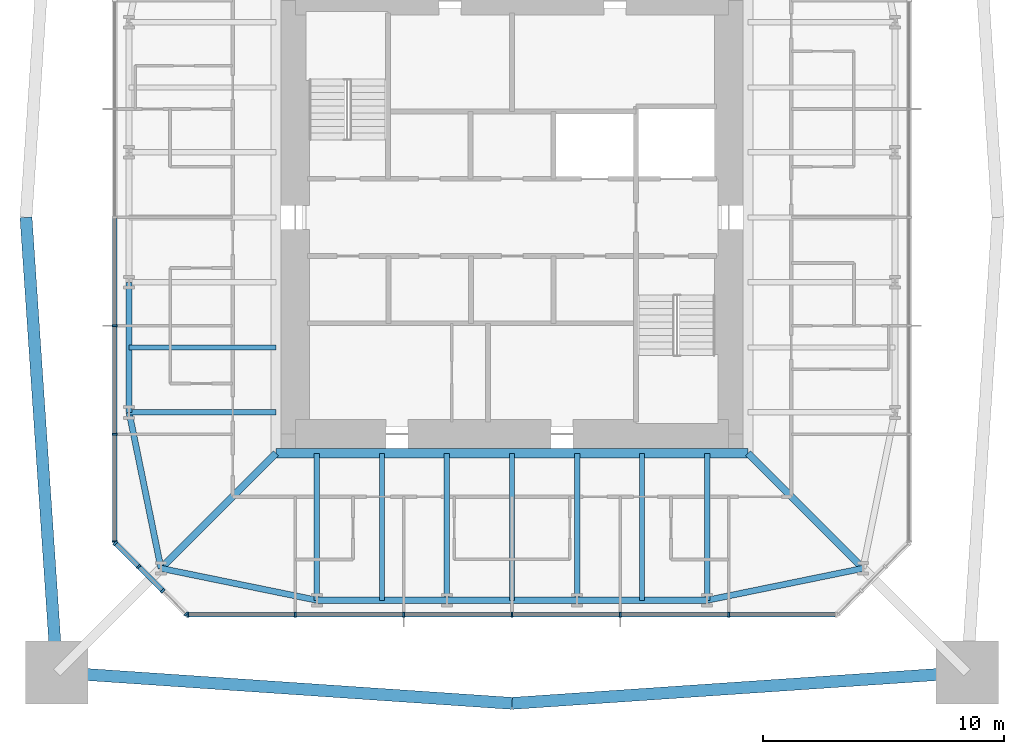
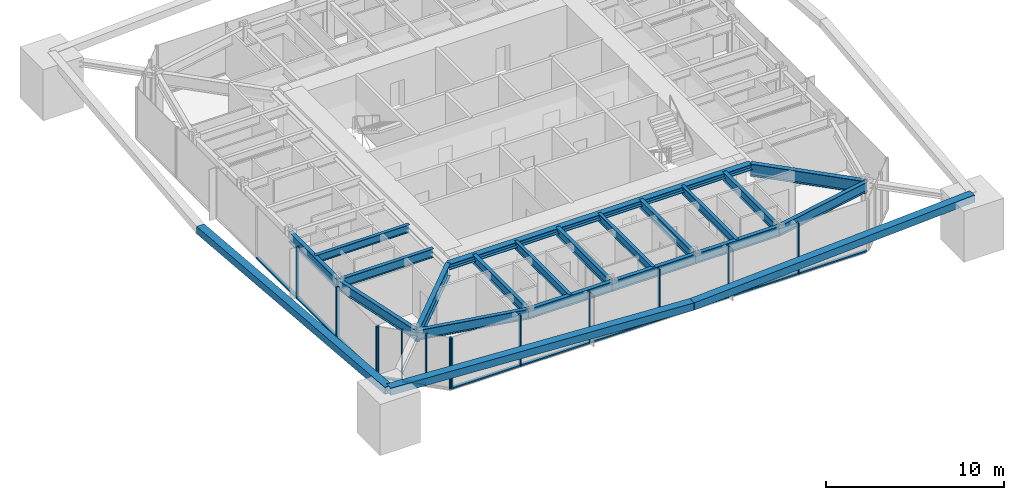
# One storey, part 2 of 11: 27 members, 19 beams, 3 elements without a shape of their own.
"""IFC4 building model written with IfcOpenShell, lengths in metres."""

from ifc_helpers import new_model, si_unit, direction, frame, origin, origin_2d, place, context, subcontext, project, spatial, rectangle, hollow_rectangle, i_section, extrude, material, material_profile, profile_set, type_object, element, aggregate, save


model = new_model("IFC4")

# Units and contexts
model_context = context("Model", 3, precision=1e-05, world=origin(), true_north=direction((0.0, 1.0)))
body_context = subcontext(model_context, "Body", "Model", "MODEL_VIEW")
ifc_project = project(units=[si_unit("LENGTHUNIT", "METRE"), si_unit("AREAUNIT", "SQUARE_METRE"), si_unit("VOLUMEUNIT", "CUBIC_METRE"), si_unit("PLANEANGLEUNIT", "RADIAN"), si_unit("MASSUNIT", "GRAM", prefix="KILO")], contexts=[model_context])

# Site, building, storey
site_placement = place(None, origin())
site = spatial("IfcSite", under=ifc_project, at=site_placement, CompositionType="ELEMENT")
building_placement = place(site_placement, origin())
building = spatial("IfcBuilding", under=site, at=building_placement, Name="Iwan Alto Co-Living Towers", CompositionType="ELEMENT")
storey_placement = place(building_placement, frame((0.0, 0.0, 222.0)))
storey = spatial("IfcBuildingStorey", under=building, at=storey_placement, Name="L60", CompositionType="ELEMENT", Elevation=222.0)

# Curtain wall, members
ifc_material_1 = material(Name="Bronze aluminium unitised frame", Category="aluminium")
curtain_wall_type_1 = type_object("IfcCurtainWallType", Name="CURTAIN WALL CW-A", PredefinedType="NOTDEFINED", material=ifc_material_1)
curtain_wall_1_placement = place(storey_placement, origin())
curtain_wall_1 = element("IfcCurtainWall", 1, at=curtain_wall_1_placement, inside=storey, type_object=curtain_wall_type_1, Name="T1 curtain wall S L60", PredefinedType="NOTDEFINED")
ifc_material_2 = material(Name="Aluminium 6063-T6 bronze anodised", Category="aluminium")
ifc_material_profile_1 = material_profile(ifc_material_2, rectangle(XDim=0.199951171875, YDim=0.080078125, at=origin_2d()), Name="AL 80X200")
ifc_profile_set_1 = profile_set([ifc_material_profile_1], Name="Aluminium 6063-T6 bronze anodised")
member_type_1 = type_object("IfcMemberType", Name="CW-A MULLION 80X200", PredefinedType="MULLION", material=ifc_profile_set_1)
member_1_placement = place(storey_placement, frame((-13.4599609375, -16.5, 0.0), z_axis=(0.0, 0.0, 1.0), x_axis=(0.0, 1.0, 0.0)))
member_1 = element("IfcMember", 2, at=member_1_placement, type_object=member_type_1, Name="CW-A mullion 1", PredefinedType="MULLION", context=body_context, shape_type="SweptSolid", body=[
    extrude(rectangle(XDim=0.199951171875, YDim=0.080078125, at=origin_2d()), origin(), (0.0, 0.0, 1.0), 3.5),
])
member_2_placement = place(storey_placement, frame((-9.0, -16.5, 0.0), z_axis=(0.0, 0.0, 1.0), x_axis=(0.0, 1.0, 0.0)))
member_2 = element("IfcMember", 3, at=member_2_placement, type_object=member_type_1, Name="CW-A mullion 2", PredefinedType="MULLION", context=body_context, shape_type="SweptSolid", body=[
    extrude(rectangle(XDim=0.199951171875, YDim=0.080078125, at=origin_2d()), origin(), (0.0, 0.0, 1.0), 3.5),
])
member_3_placement = place(storey_placement, frame((-4.5, -16.5, 0.0), z_axis=(0.0, 0.0, 1.0), x_axis=(0.0, 1.0, 0.0)))
member_3 = element("IfcMember", 4, at=member_3_placement, type_object=member_type_1, Name="CW-A mullion 3", PredefinedType="MULLION", context=body_context, shape_type="SweptSolid", body=[
    extrude(rectangle(XDim=0.199951171875, YDim=0.080078125, at=origin_2d()), origin(), (0.0, 0.0, 1.0), 3.5),
])
member_4_placement = place(storey_placement, frame((0.0, -16.5, 0.0), z_axis=(0.0, 0.0, 1.0), x_axis=(0.0, 1.0, 0.0)))
member_4 = element("IfcMember", 5, at=member_4_placement, type_object=member_type_1, Name="CW-A mullion 4", PredefinedType="MULLION", context=body_context, shape_type="SweptSolid", body=[
    extrude(rectangle(XDim=0.199951171875, YDim=0.080078125, at=origin_2d()), origin(), (0.0, 0.0, 1.0), 3.5),
])
member_5_placement = place(storey_placement, frame((4.5, -16.5, 0.0), z_axis=(0.0, 0.0, 1.0), x_axis=(0.0, 1.0, 0.0)))
member_5 = element("IfcMember", 6, at=member_5_placement, type_object=member_type_1, Name="CW-A mullion 5", PredefinedType="MULLION", context=body_context, shape_type="SweptSolid", body=[
    extrude(rectangle(XDim=0.199951171875, YDim=0.080078125, at=origin_2d()), origin(), (0.0, 0.0, 1.0), 3.5),
])
member_6_placement = place(storey_placement, frame((9.0, -16.5, 0.0), z_axis=(0.0, 0.0, 1.0), x_axis=(0.0, 1.0, 0.0)))
member_6 = element("IfcMember", 7, at=member_6_placement, type_object=member_type_1, Name="CW-A mullion 6", PredefinedType="MULLION", context=body_context, shape_type="SweptSolid", body=[
    extrude(rectangle(XDim=0.199951171875, YDim=0.080078125, at=origin_2d()), origin(), (0.0, 0.0, 1.0), 3.5),
])

curtain_wall_2_placement = place(storey_placement, origin())
curtain_wall_2 = element("IfcCurtainWall", 8, at=curtain_wall_2_placement, inside=storey, type_object=curtain_wall_type_1, Name="T1 curtain wall W L60", PredefinedType="NOTDEFINED")
member_7_placement = place(storey_placement, frame((-16.5, -4.5, 0.0), z_axis=(0.0, 0.0, 1.0), x_axis=(1.0, 0.0, 0.0)))
member_7 = element("IfcMember", 9, at=member_7_placement, type_object=member_type_1, Name="CW-A mullion 5", PredefinedType="MULLION", context=body_context, shape_type="SweptSolid", body=[
    extrude(rectangle(XDim=0.199951171875, YDim=0.080078125, at=origin_2d()), origin(), (0.0, 0.0, 1.0), 3.5),
])
member_8_placement = place(storey_placement, frame((-16.5, -9.0, 0.0), z_axis=(0.0, 0.0, 1.0), x_axis=(1.0, 0.0, 0.0)))
member_8 = element("IfcMember", 10, at=member_8_placement, type_object=member_type_1, Name="CW-A mullion 6", PredefinedType="MULLION", context=body_context, shape_type="SweptSolid", body=[
    extrude(rectangle(XDim=0.199951171875, YDim=0.080078125, at=origin_2d()), origin(), (0.0, 0.0, 1.0), 3.5),
])
member_9_placement = place(storey_placement, frame((-16.5, -13.4599609375, 0.0), z_axis=(0.0, 0.0, 1.0), x_axis=(1.0, 0.0, 0.0)))
member_9 = element("IfcMember", 11, at=member_9_placement, type_object=member_type_1, Name="CW-A mullion 7", PredefinedType="MULLION", context=body_context, shape_type="SweptSolid", body=[
    extrude(rectangle(XDim=0.199951171875, YDim=0.080078125, at=origin_2d()), origin(), (0.0, 0.0, 1.0), 3.5),
])

# Member
ifc_material_3 = material(Name="Aluminium 6063-T6 bronze anodised", Category="aluminium")
ifc_material_profile_2 = material_profile(ifc_material_3, rectangle(XDim=0.199951171875, YDim=0.10009765625, at=origin_2d()), Name="AL 200X100")
ifc_profile_set_2 = profile_set([ifc_material_profile_2], Name="Aluminium 6063-T6 bronze anodised")
member_type_2 = type_object("IfcMemberType", Name="CW-A TRANSOM 200X100", PredefinedType="USERDEFINED", material=ifc_profile_set_2)
member_10_placement = place(storey_placement, frame((-13.419921875, -16.5, 0.050048828125), z_axis=(1.0, 0.0, 0.0), x_axis=(0.0, 1.0, 0.0)))
member_10 = element("IfcMember", 12, at=member_10_placement, type_object=member_type_2, Name="CW-A transom 1.1", ObjectType="TRANSOM", PredefinedType="USERDEFINED", context=body_context, shape_type="SweptSolid", body=[
    extrude(rectangle(XDim=0.199951171875, YDim=0.10009765625, at=origin_2d()), origin(), (0.0, 0.0, 1.0), 4.3798828125),
])

member_11_placement = place(storey_placement, frame((-8.9599609375, -16.5, 0.050048828125), z_axis=(1.0, 0.0, 0.0), x_axis=(0.0, 1.0, 0.0)))
member_11 = element("IfcMember", 13, at=member_11_placement, type_object=member_type_2, Name="CW-A transom 2.1", ObjectType="TRANSOM", PredefinedType="USERDEFINED", context=body_context, shape_type="SweptSolid", body=[
    extrude(rectangle(XDim=0.199951171875, YDim=0.10009765625, at=origin_2d()), origin(), (0.0, 0.0, 1.0), 4.419921875),
])

member_12_placement = place(storey_placement, frame((-4.4599609375, -16.5, 0.050048828125), z_axis=(1.0, 0.0, 0.0), x_axis=(0.0, 1.0, 0.0)))
member_12 = element("IfcMember", 14, at=member_12_placement, type_object=member_type_2, Name="CW-A transom 3.1", ObjectType="TRANSOM", PredefinedType="USERDEFINED", context=body_context, shape_type="SweptSolid", body=[
    extrude(rectangle(XDim=0.199951171875, YDim=0.10009765625, at=origin_2d()), origin(), (0.0, 0.0, 1.0), 4.419921875),
])

member_13_placement = place(storey_placement, frame((0.0400390625, -16.5, 0.050048828125), z_axis=(1.0, 0.0, 0.0), x_axis=(0.0, 1.0, 0.0)))
member_13 = element("IfcMember", 15, at=member_13_placement, type_object=member_type_2, Name="CW-A transom 4.1", ObjectType="TRANSOM", PredefinedType="USERDEFINED", context=body_context, shape_type="SweptSolid", body=[
    extrude(rectangle(XDim=0.199951171875, YDim=0.10009765625, at=origin_2d()), origin(), (0.0, 0.0, 1.0), 4.419921875),
])

member_14_placement = place(storey_placement, frame((4.5400390625, -16.5, 0.050048828125), z_axis=(1.0, 0.0, 0.0), x_axis=(0.0, 1.0, 0.0)))
member_14 = element("IfcMember", 16, at=member_14_placement, type_object=member_type_2, Name="CW-A transom 5.1", ObjectType="TRANSOM", PredefinedType="USERDEFINED", context=body_context, shape_type="SweptSolid", body=[
    extrude(rectangle(XDim=0.199951171875, YDim=0.10009765625, at=origin_2d()), origin(), (0.0, 0.0, 1.0), 4.419921875),
])

member_15_placement = place(storey_placement, frame((9.0400390625, -16.5, 0.050048828125), z_axis=(1.0, 0.0, 0.0), x_axis=(0.0, 1.0, 0.0)))
member_15 = element("IfcMember", 17, at=member_15_placement, type_object=member_type_2, Name="CW-A transom 6.1", ObjectType="TRANSOM", PredefinedType="USERDEFINED", context=body_context, shape_type="SweptSolid", body=[
    extrude(rectangle(XDim=0.199951171875, YDim=0.10009765625, at=origin_2d()), origin(), (0.0, 0.0, 1.0), 4.3798828125),
])

aggregate(curtain_wall_1, [member_1, member_2, member_3, member_4, member_5, member_6, member_10, member_11, member_12, member_13, member_14, member_15])

member_16_placement = place(storey_placement, frame((-16.5, -0.0400390625, 0.050048828125), z_axis=(0.0, -1.0, 0.0), x_axis=(1.0, 0.0, 0.0)))
member_16 = element("IfcMember", 18, at=member_16_placement, type_object=member_type_2, Name="CW-A transom 4.1", ObjectType="TRANSOM", PredefinedType="USERDEFINED", context=body_context, shape_type="SweptSolid", body=[
    extrude(rectangle(XDim=0.199951171875, YDim=0.10009765625, at=origin_2d()), origin(), (0.0, 0.0, 1.0), 4.419921875),
])

member_17_placement = place(storey_placement, frame((-16.5, -4.5400390625, 0.050048828125), z_axis=(0.0, -1.0, 0.0), x_axis=(1.0, 0.0, 0.0)))
member_17 = element("IfcMember", 19, at=member_17_placement, type_object=member_type_2, Name="CW-A transom 5.1", ObjectType="TRANSOM", PredefinedType="USERDEFINED", context=body_context, shape_type="SweptSolid", body=[
    extrude(rectangle(XDim=0.199951171875, YDim=0.10009765625, at=origin_2d()), origin(), (0.0, 0.0, 1.0), 4.419921875),
])

member_18_placement = place(storey_placement, frame((-16.5, -9.0400390625, 0.050048828125), z_axis=(0.0, -1.0, 0.0), x_axis=(1.0, 0.0, 0.0)))
member_18 = element("IfcMember", 20, at=member_18_placement, type_object=member_type_2, Name="CW-A transom 6.1", ObjectType="TRANSOM", PredefinedType="USERDEFINED", context=body_context, shape_type="SweptSolid", body=[
    extrude(rectangle(XDim=0.199951171875, YDim=0.10009765625, at=origin_2d()), origin(), (0.0, 0.0, 1.0), 4.3798828125),
])

aggregate(curtain_wall_2, [member_7, member_8, member_9, member_16, member_17, member_18])

# Curtain wall, members
ifc_material_4 = material(Name="Bronze aluminium unitised frame", Category="aluminium")
curtain_wall_type_2 = type_object("IfcCurtainWallType", Name="CURTAIN WALL CW-B", PredefinedType="NOTDEFINED", material=ifc_material_4)
curtain_wall_3_placement = place(storey_placement, origin())
curtain_wall_3 = element("IfcCurtainWall", 21, at=curtain_wall_3_placement, inside=storey, type_object=curtain_wall_type_2, Name="T1 chamfer curtain wall SW L60", PredefinedType="NOTDEFINED")
ifc_material_5 = material(Name="Aluminium 6063-T6 bronze anodised", Category="aluminium")
ifc_material_profile_3 = material_profile(ifc_material_5, rectangle(XDim=0.199951171875, YDim=0.080078125, at=origin_2d()), Name="AL 80X200")
ifc_profile_set_3 = profile_set([ifc_material_profile_3], Name="Aluminium 6063-T6 bronze anodised")
member_type_3 = type_object("IfcMemberType", Name="CW-B MULLION 80X200", PredefinedType="MULLION", material=ifc_profile_set_3)
member_19_placement = place(storey_placement, frame((-16.4716796875, -13.5283203125, 0.0), z_axis=(0.0, 0.0, 1.0), x_axis=(0.707106781187, 0.707106781187, 0.0)))
member_19 = element("IfcMember", 22, at=member_19_placement, type_object=member_type_3, Name="CW-B mullion 1", PredefinedType="MULLION", context=body_context, shape_type="SweptSolid", body=[
    extrude(rectangle(XDim=0.199951171875, YDim=0.080078125, at=origin_2d()), origin(), (0.0, 0.0, 1.0), 3.5),
])
member_20_placement = place(storey_placement, frame((-15.5, -14.5, 0.0), z_axis=(0.0, 0.0, 1.0), x_axis=(0.707106781187, 0.707106781187, 0.0)))
member_20 = element("IfcMember", 23, at=member_20_placement, type_object=member_type_3, Name="CW-B mullion 2", PredefinedType="MULLION", context=body_context, shape_type="SweptSolid", body=[
    extrude(rectangle(XDim=0.199951171875, YDim=0.080078125, at=origin_2d()), origin(), (0.0, 0.0, 1.0), 3.5),
])
member_21_placement = place(storey_placement, frame((-14.5, -15.5, 0.0), z_axis=(0.0, 0.0, 1.0), x_axis=(0.707106781187, 0.707106781187, 0.0)))
member_21 = element("IfcMember", 24, at=member_21_placement, type_object=member_type_3, Name="CW-B mullion 3", PredefinedType="MULLION", context=body_context, shape_type="SweptSolid", body=[
    extrude(rectangle(XDim=0.199951171875, YDim=0.080078125, at=origin_2d()), origin(), (0.0, 0.0, 1.0), 3.5),
])
member_22_placement = place(storey_placement, frame((-13.5283203125, -16.4716796875, 0.0), z_axis=(0.0, 0.0, 1.0), x_axis=(0.707106781187, 0.707106781187, 0.0)))
member_22 = element("IfcMember", 25, at=member_22_placement, type_object=member_type_3, Name="CW-B mullion 4", PredefinedType="MULLION", context=body_context, shape_type="SweptSolid", body=[
    extrude(rectangle(XDim=0.199951171875, YDim=0.080078125, at=origin_2d()), origin(), (0.0, 0.0, 1.0), 3.5),
])
ifc_material_6 = material(Name="Aluminium 6063-T6 bronze anodised", Category="aluminium")
ifc_material_profile_4 = material_profile(ifc_material_6, rectangle(XDim=0.199951171875, YDim=0.10009765625, at=origin_2d()), Name="AL 200X100")
ifc_profile_set_4 = profile_set([ifc_material_profile_4], Name="Aluminium 6063-T6 bronze anodised")
member_type_4 = type_object("IfcMemberType", Name="CW-B TRANSOM 200X100", PredefinedType="USERDEFINED", material=ifc_profile_set_4)
member_23_placement = place(storey_placement, frame((-16.443359375, -13.556640625, 0.050048828125), z_axis=(0.707106781187, -0.707106781187, 0.0), x_axis=(0.707106781187, 0.707106781187, 0.0)))
member_23 = element("IfcMember", 26, at=member_23_placement, type_object=member_type_4, Name="CW-B transom 1.1", ObjectType="TRANSOM", PredefinedType="USERDEFINED", context=body_context, shape_type="SweptSolid", body=[
    extrude(rectangle(XDim=0.199951171875, YDim=0.10009765625, at=origin_2d()), origin(), (0.0, 0.0, 1.0), 1.2939453125),
])
member_24_placement = place(storey_placement, frame((-15.4716796875, -14.5283203125, 0.050048828125), z_axis=(0.707106781187, -0.707106781187, 0.0), x_axis=(0.707106781187, 0.707106781187, 0.0)))
member_24 = element("IfcMember", 27, at=member_24_placement, type_object=member_type_4, Name="CW-B transom 2.1", ObjectType="TRANSOM", PredefinedType="USERDEFINED", context=body_context, shape_type="SweptSolid", body=[
    extrude(rectangle(XDim=0.199951171875, YDim=0.10009765625, at=origin_2d()), origin(), (0.0, 0.0, 1.0), 1.334228515625),
])
aggregate(curtain_wall_3, [member_19, member_20, member_21, member_22, member_23, member_24])

# Beams
ifc_material_7 = material(Name="Steel ASTM A992 Gr 50", Category="steel")
ifc_material_profile_5 = material_profile(ifc_material_7, i_section(OverallWidth=0.398681640625, OverallDepth=0.385986328125, WebThickness=0.02099609375, FlangeThickness=0.033203125, at=origin_2d()), Name="W14X176")
ifc_profile_set_5 = profile_set([ifc_material_profile_5], Name="Steel ASTM A992 Gr 50")
beam_type_1 = type_object("IfcBeamType", Name="T1 CORE LEDGER BEAM W14X176", PredefinedType="BEAM", material=ifc_profile_set_5)
beam_1_placement = place(storey_placement, frame((-9.79931640625, -9.79931640625, 3.076904296875), z_axis=(1.0, 0.0, 0.0), x_axis=(0.0, 1.0, 0.0)))
element("IfcBeam", 28, at=beam_1_placement, inside=storey, type_object=beam_type_1, Name="T1 core ledger beam S L61", PredefinedType="BEAM", context=body_context, shape_type="SweptSolid", body=[
    extrude(i_section(OverallWidth=0.398681640625, OverallDepth=0.385986328125, WebThickness=0.02099609375, FlangeThickness=0.033203125, at=origin_2d()), origin(), (0.0, 0.0, 1.0), 19.5986328125),
])
ifc_material_8 = material(Name="Steel ASTM A992 Gr 50", Category="steel")
ifc_material_profile_6 = material_profile(ifc_material_8, i_section(OverallWidth=0.2919921875, OverallDepth=0.8408203125, WebThickness=0.0146484375, FlangeThickness=0.021728515625, at=origin_2d()), Name="W33X130")
ifc_profile_set_6 = profile_set([ifc_material_profile_6], Name="Steel ASTM A992 Gr 50")
beam_type_2 = type_object("IfcBeamType", Name="T1 CORNER GIRDER W33X130", PredefinedType="BEAM", material=ifc_profile_set_6)
for number, where, z_axis, x_axis, name in (
    (29, (-14.57568359375, -14.57568359375, 2.849609375), (0.707106781187, 0.707106781187, 0.0), (-0.707106781187, 0.707106781187, 0.0), "T1 corner girder CSW L61"),
    (30, (14.57568359375, -14.57568359375, 2.849609375), (-0.707106781187, 0.707106781187, 0.0), (-0.707106781187, -0.707106781187, 0.0), "T1 corner girder CSE L61"),
):
    element("IfcBeam", number, at=place(storey_placement, frame(where, z_axis=z_axis, x_axis=x_axis)), inside=storey, type_object=beam_type_2, Name=name, PredefinedType="BEAM", context=body_context, shape_type="SweptSolid", body=[
        extrude(i_section(OverallWidth=0.2919921875, OverallDepth=0.8408203125, WebThickness=0.0146484375, FlangeThickness=0.021728515625, at=origin_2d()), origin(), (0.0, 0.0, 1.0), 6.7548828125),
    ])
ifc_material_9 = material(Name="Steel ASTM A992 Gr 50", Category="steel")
ifc_material_profile_7 = material_profile(ifc_material_9, i_section(OverallWidth=0.25390625, OverallDepth=0.683349609375, WebThickness=0.012451171875, FlangeThickness=0.018798828125, at=origin_2d()), Name="W27X94")
ifc_profile_set_7 = profile_set([ifc_material_profile_7], Name="Steel ASTM A992 Gr 50")
beam_type_3 = type_object("IfcBeamType", Name="T1 EDGE BEAM W27X94", PredefinedType="BEAM", material=ifc_profile_set_7)
beam_2_placement = place(storey_placement, frame((-14.57568359375, -14.57568359375, 2.928466796875), z_axis=(0.979724820103, -0.200347889618, 0.0), x_axis=(0.200347889618, 0.979724820103, 0.0)))
element("IfcBeam", 31, at=beam_2_placement, inside=storey, type_object=beam_type_3, Name="T1 edge beam CSW L61", PredefinedType="BEAM", context=body_context, shape_type="SweptSolid", body=[
    extrude(i_section(OverallWidth=0.25390625, OverallDepth=0.683349609375, WebThickness=0.012451171875, FlangeThickness=0.018798828125, at=origin_2d()), origin(), (0.0, 0.0, 1.0), 6.609619140625),
])
beam_3_placement = place(storey_placement, frame((-8.10009765625, -15.89990234375, 2.928466796875), z_axis=(1.0, 0.0, 0.0), x_axis=(0.0, 1.0, 0.0)))
element("IfcBeam", 32, at=beam_3_placement, inside=storey, type_object=beam_type_3, Name="T1 edge beam S1 L61", PredefinedType="BEAM", context=body_context, shape_type="SweptSolid", body=[
    extrude(i_section(OverallWidth=0.25390625, OverallDepth=0.683349609375, WebThickness=0.012451171875, FlangeThickness=0.018798828125, at=origin_2d()), origin(), (0.0, 0.0, 1.0), 5.400146484375),
])
beam_4_placement = place(storey_placement, frame((-2.699951171875, -15.89990234375, 2.928466796875), z_axis=(1.0, 0.0, 0.0), x_axis=(0.0, 1.0, 0.0)))
element("IfcBeam", 33, at=beam_4_placement, inside=storey, type_object=beam_type_3, Name="T1 edge beam S2 L61", PredefinedType="BEAM", context=body_context, shape_type="SweptSolid", body=[
    extrude(i_section(OverallWidth=0.25390625, OverallDepth=0.683349609375, WebThickness=0.012451171875, FlangeThickness=0.018798828125, at=origin_2d()), origin(), (0.0, 0.0, 1.0), 5.39990234375),
])
beam_5_placement = place(storey_placement, frame((2.699951171875, -15.89990234375, 2.928466796875), z_axis=(1.0, 0.0, 0.0), x_axis=(0.0, 1.0, 0.0)))
element("IfcBeam", 34, at=beam_5_placement, inside=storey, type_object=beam_type_3, Name="T1 edge beam S3 L61", PredefinedType="BEAM", context=body_context, shape_type="SweptSolid", body=[
    extrude(i_section(OverallWidth=0.25390625, OverallDepth=0.683349609375, WebThickness=0.012451171875, FlangeThickness=0.018798828125, at=origin_2d()), origin(), (0.0, 0.0, 1.0), 5.400146484375),
])
beam_6_placement = place(storey_placement, frame((8.10009765625, -15.89990234375, 2.928466796875), z_axis=(0.979724820103, 0.200347889618, 0.0), x_axis=(-0.200347889618, 0.979724820103, 0.0)))
element("IfcBeam", 35, at=beam_6_placement, inside=storey, type_object=beam_type_3, Name="T1 edge beam S4 L61", PredefinedType="BEAM", context=body_context, shape_type="SweptSolid", body=[
    extrude(i_section(OverallWidth=0.25390625, OverallDepth=0.683349609375, WebThickness=0.012451171875, FlangeThickness=0.018798828125, at=origin_2d()), origin(), (0.0, 0.0, 1.0), 6.609619140625),
])
beam_7_placement = place(storey_placement, frame((-15.89990234375, -2.699951171875, 2.928466796875), z_axis=(0.0, -1.0, 0.0), x_axis=(1.0, 0.0, 0.0)))
element("IfcBeam", 36, at=beam_7_placement, inside=storey, type_object=beam_type_3, Name="T1 edge beam W3 L61", PredefinedType="BEAM", context=body_context, shape_type="SweptSolid", body=[
    extrude(i_section(OverallWidth=0.25390625, OverallDepth=0.683349609375, WebThickness=0.012451171875, FlangeThickness=0.018798828125, at=origin_2d()), origin(), (0.0, 0.0, 1.0), 5.400146484375),
])
beam_8_placement = place(storey_placement, frame((-15.89990234375, -8.10009765625, 2.928466796875), z_axis=(0.200347889618, -0.979724820103, 0.0), x_axis=(0.979724820103, 0.200347889618, 0.0)))
element("IfcBeam", 37, at=beam_8_placement, inside=storey, type_object=beam_type_3, Name="T1 edge beam W4 L61", PredefinedType="BEAM", context=body_context, shape_type="SweptSolid", body=[
    extrude(i_section(OverallWidth=0.25390625, OverallDepth=0.683349609375, WebThickness=0.012451171875, FlangeThickness=0.018798828125, at=origin_2d()), origin(), (0.0, 0.0, 1.0), 6.609619140625),
])

# Members
ifc_material_10 = material(Name="Steel ASTM A572 Gr 50", Category="steel")
ifc_material_profile_8 = material_profile(ifc_material_10, hollow_rectangle(XDim=0.5, YDim=0.5, WallThickness=0.031982421875, at=origin_2d()), Name="BOX 500X500X32")
ifc_profile_set_8 = profile_set([ifc_material_profile_8], Name="Steel ASTM A572 Gr 50")
member_type_5 = type_object("IfcMemberType", Name="T1 MEGA TIE BOX 500X500X32", PredefinedType="STRUT", material=ifc_profile_set_8)
for number, where, z_axis, x_axis, name in (
    (38, (-18.89990234375, -18.89990234375, 3.2841796875), (0.997708316186, -0.067661775131, 0.0), (0.067661775131, 0.997708316186, 0.0), "T1 mega tie Z4A S 1"),
    (39, (0.0, -20.181640625, 3.2841796875), (0.997708316186, 0.067661775131, 0.0), (-0.067661775131, 0.997708316186, 0.0), "T1 mega tie Z4A S 2"),
    (40, (-20.181640625, 0.0, 3.2841796875), (0.067661775131, -0.997708316186, 0.0), (0.997708316186, 0.067661775131, 0.0), "T1 mega tie Z4A W 2"),
):
    element("IfcMember", number, at=place(storey_placement, frame(where, z_axis=z_axis, x_axis=x_axis)), inside=storey, type_object=member_type_5, Name=name, PredefinedType="STRUT", context=body_context, shape_type="SweptSolid", body=[
        extrude(hollow_rectangle(XDim=0.5, YDim=0.5, WallThickness=0.031982421875, at=origin_2d()), origin(), (0.0, 0.0, 1.0), 18.943359375),
    ])

# Beams
ifc_material_11 = material(Name="Steel ASTM A992 Gr 50", Category="steel")
ifc_material_profile_9 = material_profile(ifc_material_11, i_section(OverallWidth=0.228271484375, OverallDepth=0.607177734375, WebThickness=0.01123046875, FlangeThickness=0.017333984375, at=origin_2d()), Name="W24X76")
ifc_profile_set_9 = profile_set([ifc_material_profile_9], Name="Steel ASTM A992 Gr 50")
beam_type_4 = type_object("IfcBeamType", Name="T1 RADIAL BEAM W24X76", PredefinedType="BEAM", material=ifc_profile_set_9)
for number, where, z_axis, x_axis, name in (
    (41, (-8.10009765625, -15.89990234375, 2.966552734375), (0.0, 1.0, 0.0), (-1.0, 0.0, 0.0), "T1 radial beam S1 L61"),
    (42, (-2.699951171875, -15.89990234375, 2.966552734375), (0.0, 1.0, 0.0), (-1.0, 0.0, 0.0), "T1 radial beam S2 L61"),
    (43, (2.699951171875, -15.89990234375, 2.966552734375), (0.0, 1.0, 0.0), (-1.0, 0.0, 0.0), "T1 radial beam S3 L61"),
    (44, (8.10009765625, -15.89990234375, 2.966552734375), (0.0, 1.0, 0.0), (-1.0, 0.0, 0.0), "T1 radial beam S4 L61"),
    (45, (-15.89990234375, -8.10009765625, 2.966552734375), (1.0, 0.0, 0.0), (0.0, 1.0, 0.0), "T1 radial beam W4 L61"),
):
    element("IfcBeam", number, at=place(storey_placement, frame(where, z_axis=z_axis, x_axis=x_axis)), inside=storey, type_object=beam_type_4, Name=name, PredefinedType="BEAM", context=body_context, shape_type="SweptSolid", body=[
        extrude(i_section(OverallWidth=0.228271484375, OverallDepth=0.607177734375, WebThickness=0.01123046875, FlangeThickness=0.017333984375, at=origin_2d()), origin(), (0.0, 0.0, 1.0), 6.1005859375),
    ])
ifc_material_12 = material(Name="Steel ASTM A992 Gr 50", Category="steel")
ifc_material_profile_10 = material_profile(ifc_material_12, i_section(OverallWidth=0.209228515625, OverallDepth=0.533447265625, WebThickness=0.01025390625, FlangeThickness=0.015625, at=origin_2d()), Name="W21X62")
ifc_profile_set_10 = profile_set([ifc_material_profile_10], Name="Steel ASTM A992 Gr 50")
beam_type_5 = type_object("IfcBeamType", Name="T1 SECONDARY BEAM W21X62", PredefinedType="JOIST", material=ifc_profile_set_10)
for number, where, z_axis, x_axis, name in (
    (46, (-5.39990234375, -15.89990234375, 3.00341796875), (0.0, 1.0, 0.0), (-1.0, 0.0, 0.0), "T1 secondary beam S1 L61"),
    (47, (0.0, -15.89990234375, 3.00341796875), (0.0, 1.0, 0.0), (-1.0, 0.0, 0.0), "T1 secondary beam S2 L61"),
    (48, (5.39990234375, -15.89990234375, 3.00341796875), (0.0, 1.0, 0.0), (-1.0, 0.0, 0.0), "T1 secondary beam S3 L61"),
    (49, (-15.89990234375, -5.39990234375, 3.00341796875), (1.0, 0.0, 0.0), (0.0, 1.0, 0.0), "T1 secondary beam W3 L61"),
):
    element("IfcBeam", number, at=place(storey_placement, frame(where, z_axis=z_axis, x_axis=x_axis)), inside=storey, type_object=beam_type_5, Name=name, PredefinedType="JOIST", context=body_context, shape_type="SweptSolid", body=[
        extrude(i_section(OverallWidth=0.209228515625, OverallDepth=0.533447265625, WebThickness=0.01025390625, FlangeThickness=0.015625, at=origin_2d()), origin(), (0.0, 0.0, 1.0), 6.1005859375),
    ])

save(model, "model.ifc")
